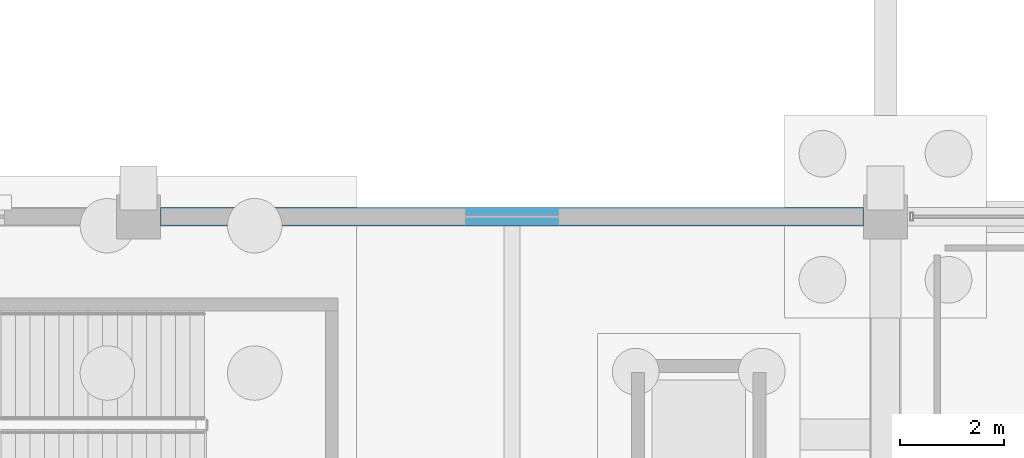
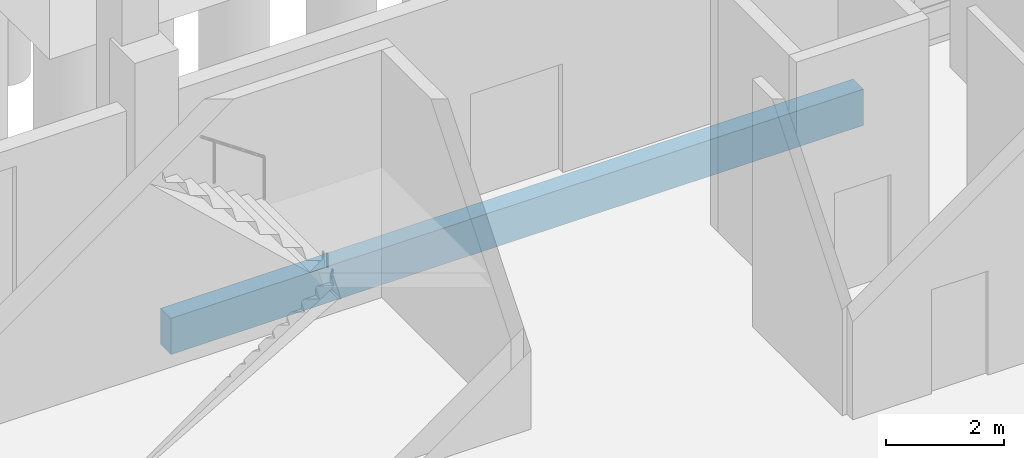
# One storey, part 39 of 192: 1 beam.
"""IFC4 building model written with IfcOpenShell, lengths in metres."""

import ifcopenshell
import ifcopenshell.guid

model = None  # the IFC model being written
_history = None  # IfcOwnerHistory: only IFC2X3 demands one
_inside = {}  # id of a spatial element -> (the spatial element, [elements in it])
_under = {}  # id of a project, library or spatial element -> (it, [spatial elements below it])
_declared = {}  # id of a project -> (the project, [libraries it declares])
_typed = {}  # id of a type object -> (the type object, [elements of that type])
_made_of = {}  # id of a material, layer set ... -> (it, [elements and type objects made of it])


def new_model(schema):
    """Start an empty IFC model of exactly this schema.

    Asked for "IFC4X3", IfcOpenShell would pick the latest addendum, in which some entities
    have other attributes; the version numbers below select the first issue.
    IFC2X3 requires an IfcOwnerHistory on every rooted entity: one is made here for all.
    """
    global model, _history
    if schema == "IFC4X3":
        model = ifcopenshell.file(schema_version=(4, 3, 0, 0))
    else:
        model = ifcopenshell.file(schema=schema)
    _inside.clear()
    _under.clear()
    _declared.clear()
    _typed.clear()
    _made_of.clear()
    _history = None
    if model.schema == "IFC2X3":
        org = make("IfcOrganization", Name="unknown")
        user = make(
            "IfcPersonAndOrganization",
            ThePerson=make("IfcPerson", FamilyName="unknown"),
            TheOrganization=org,
        )
        app = make(
            "IfcApplication",
            ApplicationDeveloper=org,
            Version="unknown",
            ApplicationFullName="unknown",
            ApplicationIdentifier="unknown",
        )
        _history = make(
            "IfcOwnerHistory",
            OwningUser=user,
            OwningApplication=app,
            ChangeAction="ADDED",
            CreationDate=0,
        )
    return model


def make(cls, **values):
    """One entity of the class cls with the attributes given. An attribute that is None is left unset."""
    return model.create_entity(
        cls, **{name: value for name, value in values.items() if value is not None}
    )


def rooted(cls, **values):
    """An entity with a GlobalId (a new one), such as an element, a storey or a relation."""
    return make(cls, GlobalId=ifcopenshell.guid.new(), OwnerHistory=_history, **values)


def si_unit(unit_type, name, prefix=None):
    """IfcSIUnit, for example si_unit("LENGTHUNIT", "METRE", prefix="MILLI")."""
    return make("IfcSIUnit", UnitType=unit_type, Prefix=prefix, Name=name)


def assignment(units):
    """IfcUnitAssignment: the units of a project."""
    return None if units is None else make("IfcUnitAssignment", Units=units)


def point(xyz):
    """IfcCartesianPoint."""
    return None if xyz is None else make("IfcCartesianPoint", Coordinates=xyz)


def direction(xyz):
    """IfcDirection."""
    return None if xyz is None else make("IfcDirection", DirectionRatios=xyz)


def frame(location, z_axis=None, x_axis=None):
    """IfcAxis2Placement3D, a coordinate frame: its origin and axes. An axis left out is left unset."""
    return make(
        "IfcAxis2Placement3D",
        Location=point(location),
        Axis=direction(z_axis),
        RefDirection=direction(x_axis),
    )


def frame_2d(location, x_axis=None):
    """IfcAxis2Placement2D, a coordinate frame in the plane: its origin and x axis."""
    return make(
        "IfcAxis2Placement2D", Location=point(location), RefDirection=direction(x_axis)
    )


def origin():
    """The frame at (0, 0, 0) with its axes left unset."""
    return frame((0.0, 0.0, 0.0))


def origin_2d():
    """The frame at (0, 0) in the plane with its x axis left unset."""
    return frame_2d((0.0, 0.0))


def place(relative_to, where):
    """IfcLocalPlacement: puts the frame where relative to a parent placement (None: the world)."""
    return make(
        "IfcLocalPlacement", PlacementRelTo=relative_to, RelativePlacement=where
    )


def context(
    kind, dimensions, precision=None, world=None, true_north=None, identifier=None
):
    """IfcGeometricRepresentationContext, for example the 3D "Model" context."""
    return make(
        "IfcGeometricRepresentationContext",
        ContextIdentifier=identifier,
        ContextType=kind,
        CoordinateSpaceDimension=dimensions,
        Precision=precision,
        WorldCoordinateSystem=world,
        TrueNorth=true_north,
    )


def subcontext(parent, identifier, kind, view, scale=None):
    """IfcGeometricRepresentationSubContext, for example "Body" below "Model"."""
    return make(
        "IfcGeometricRepresentationSubContext",
        ContextIdentifier=identifier,
        ContextType=kind,
        ParentContext=parent,
        TargetScale=scale,
        TargetView=view,
    )


def project(units=None, contexts=None):
    """IfcProject with its units and contexts."""
    return rooted(
        "IfcProject",
        Name="project",
        RepresentationContexts=contexts,
        UnitsInContext=assignment(units),
    )


def spatial(cls, under=None, at=None, **own):
    """A site, building, storey or space (cls), placed at a placement, below another one or the project."""
    s = rooted(cls, ObjectPlacement=at, **own)
    if under is not None:
        _under.setdefault(under.id(), (under, []))[1].append(s)
    return s


def profile(cls, at=None, kind="AREA", **sizes):
    """A parametric profile (cls). Its sizes go by their IFC names, for example OverallWidth=200.0."""
    return make(cls, ProfileType=kind, Position=at, **sizes)


def rectangle(**sizes):
    """IfcRectangleProfileDef."""
    return profile("IfcRectangleProfileDef", **sizes)


def extrude(swept, where, along, depth):
    """IfcExtrudedAreaSolid: the profile swept, set in the frame where, extruded along a direction by depth."""
    return make(
        "IfcExtrudedAreaSolid",
        SweptArea=swept,
        Position=where,
        ExtrudedDirection=direction(along),
        Depth=depth,
    )


def shape(context_of_items, identifier, shape_type, items):
    """IfcShapeRepresentation: the items that make up one representation, for example the "Body"."""
    return make(
        "IfcShapeRepresentation",
        ContextOfItems=context_of_items,
        RepresentationIdentifier=identifier,
        RepresentationType=shape_type,
        Items=items,
    )


def material(Name=None, Category=None):
    """IfcMaterial."""
    return make("IfcMaterial", Name=Name, Category=Category)


def material_profile(
    of_material, cross_section, Name=None, Category=None, Priority=None
):
    """IfcMaterialProfile: a cross section and its material."""
    return make(
        "IfcMaterialProfile",
        Name=Name,
        Material=of_material,
        Profile=cross_section,
        Priority=Priority,
        Category=Category,
    )


def profile_set(profiles, Name=None, composite=None):
    """IfcMaterialProfileSet."""
    return make(
        "IfcMaterialProfileSet",
        Name=Name,
        MaterialProfiles=profiles,
        CompositeProfile=composite,
    )


def made_of(thing, what):
    """Note that an element or type object is made of a material, layer set ...; save() writes the relation."""
    if what is not None:
        _made_of.setdefault(what.id(), (what, []))[1].append(thing)
    return thing


def type_object(cls, material=None, **own):
    """A type object (cls), such as IfcWallType, which elements share."""
    return made_of(rooted(cls, **own), material)


def element(
    cls,
    number,
    at=None,
    inside=None,
    cuts=None,
    type_object=None,
    material=None,
    context=None,
    identifier="Body",
    shape_type=None,
    held_by="IfcProductDefinitionShape",
    body=None,
    shapes=None,
    **own,
):
    """One element of the class cls, such as IfcWall. Its Tag is "e" and its number.

    at: its placement. inside: the storey or other place that contains it. cuts: it is an
    opening in that element (IfcRelVoidsElement). A single representation is given by context,
    identifier, shape_type and body (its items); several are given by shapes. held_by: the class
    of the entity that holds the representations. save() writes the other relations.
    """
    e = rooted(cls, Tag="e%d" % number, ObjectPlacement=at, **own)
    if body is not None:
        shapes = [shape(context, identifier, shape_type, body)]
    if shapes is not None:
        e.Representation = make(held_by, Representations=shapes)
    if inside is not None:
        _inside.setdefault(inside.id(), (inside, []))[1].append(e)
    if cuts is not None:
        rooted(
            "IfcRelVoidsElement", RelatingBuildingElement=cuts, RelatedOpeningElement=e
        )
    if type_object is not None:
        _typed.setdefault(type_object.id(), (type_object, []))[1].append(e)
    return made_of(e, material)


def aggregate(whole, parts):
    """IfcRelAggregates: a whole, such as a stair, and the parts it consists of."""
    return rooted("IfcRelAggregates", RelatingObject=whole, RelatedObjects=parts)


def save(model, path):
    """Write the relations noted so far, then the file.

    IfcRelAggregates (storeys below a building ...), IfcRelContainedInSpatialStructure (elements
    in a storey), IfcRelDefinesByType, IfcRelAssociatesMaterial and IfcRelDeclares: one each for
    every whole, place, type object, material and project.
    """
    for whole, parts in _under.values():
        aggregate(whole, parts)
    for where, things in _inside.values():
        rooted(
            "IfcRelContainedInSpatialStructure",
            RelatedElements=things,
            RelatingStructure=where,
        )
    for kind, things in _typed.values():
        rooted("IfcRelDefinesByType", RelatedObjects=things, RelatingType=kind)
    for what, things in _made_of.values():
        rooted("IfcRelAssociatesMaterial", RelatedObjects=things, RelatingMaterial=what)
    for by, libraries in _declared.values():
        rooted("IfcRelDeclares", RelatingContext=by, RelatedDefinitions=libraries)
    model.write(path)


model = new_model("IFC4")

# Units and contexts
model_context = context("Model", 3, precision=1e-05, world=origin(), true_north=direction((0.0, 1.0)))
body_context = subcontext(model_context, "Body", "Model", "MODEL_VIEW")
ifc_project = project(units=[si_unit("LENGTHUNIT", "METRE"), si_unit("AREAUNIT", "SQUARE_METRE"), si_unit("VOLUMEUNIT", "CUBIC_METRE"), si_unit("PLANEANGLEUNIT", "RADIAN"), si_unit("MASSUNIT", "GRAM", prefix="KILO")], contexts=[model_context])

# Site, building, storey
site_placement = place(None, origin())
site = spatial("IfcSite", under=ifc_project, at=site_placement, CompositionType="ELEMENT")
building_placement = place(site_placement, origin())
building = spatial("IfcBuilding", under=site, at=building_placement, Name="Cendralis Lancet Convention Centre", CompositionType="ELEMENT")
storey_placement = place(building_placement, origin())
storey = spatial("IfcBuildingStorey", under=building, at=storey_placement, Name="L00", CompositionType="ELEMENT", Elevation=0.0)

# Beam
ifc_material = material(Name="Concrete G40 (C40/50)", Category="concrete")
ifc_material_profile = material_profile(ifc_material, rectangle(XDim=0.35009765625, YDim=0.75, at=origin_2d()), Name="RCB 350x750")
ifc_profile_set = profile_set([ifc_material_profile], Name="Concrete G40 (C40/50)")
beam_type = type_object("IfcBeamType", Name="STR-SP-SP01", PredefinedType="SPANDREL", material=ifc_profile_set)
beam_placement = place(storey_placement, frame((29.22509765625, 36.0, -0.695068359375), z_axis=(1.0, 0.0, 0.0), x_axis=(0.0, 1.0, 0.0)))
element("IfcBeam", 1, at=beam_placement, inside=storey, type_object=beam_type, Name="L00 Beam SP01 #0684", PredefinedType="SPANDREL", context=body_context, shape_type="SweptSolid", body=[
    extrude(rectangle(XDim=0.35009765625, YDim=0.75, at=origin_2d()), origin(), (0.0, 0.0, 1.0), 13.5498046875),
])

save(model, "model.ifc")
